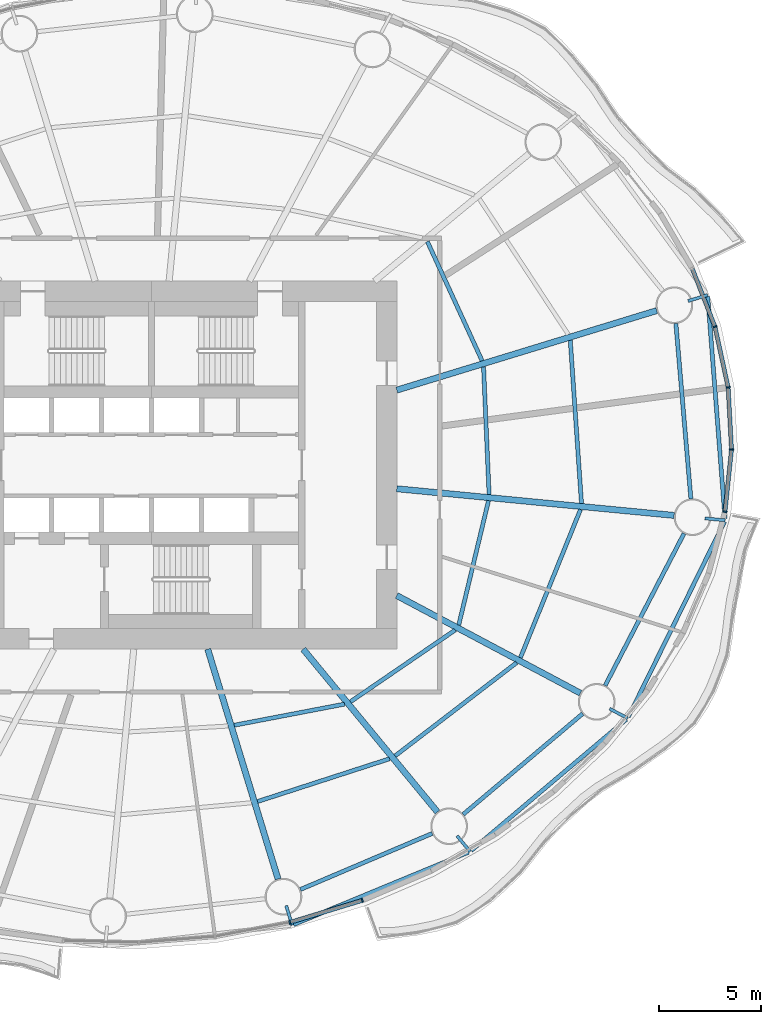
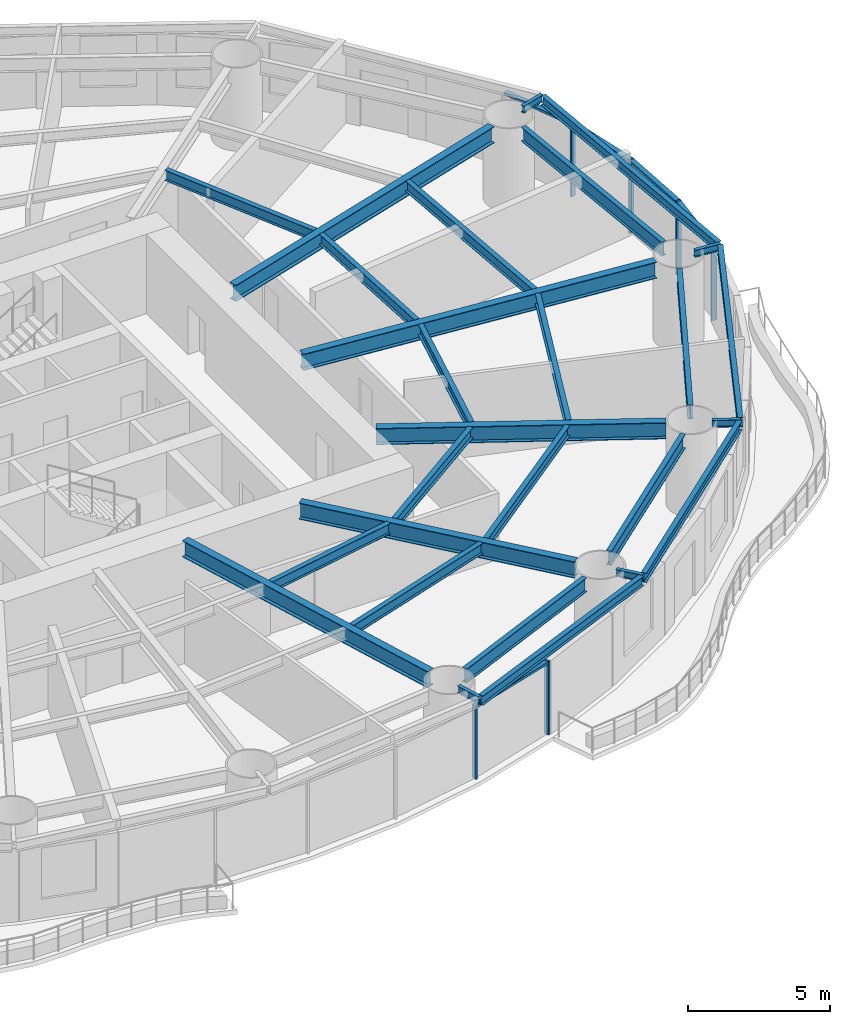
# One storey, part 4 of 16: 27 beams, 11 members, 5 elements without a shape of their own.
"""IFC4 building model written with IfcOpenShell, lengths in metres."""

from ifc_helpers import new_model, si_unit, direction, frame, origin, origin_2d, place, context, subcontext, project, spatial, rectangle, i_section, extrude, material, material_profile, profile_set, type_object, element, aggregate, save


model = new_model("IFC4")

# Units and contexts
model_context = context("Model", 3, precision=1e-05, world=origin(), true_north=direction((0.0, 1.0)))
body_context = subcontext(model_context, "Body", "Model", "MODEL_VIEW")
ifc_project = project(units=[si_unit("LENGTHUNIT", "METRE"), si_unit("AREAUNIT", "SQUARE_METRE"), si_unit("VOLUMEUNIT", "CUBIC_METRE"), si_unit("PLANEANGLEUNIT", "RADIAN"), si_unit("MASSUNIT", "GRAM", prefix="KILO")], contexts=[model_context])

# Site, building, storey
site_placement = place(None, origin())
site = spatial("IfcSite", under=ifc_project, at=site_placement, CompositionType="ELEMENT")
building_placement = place(site_placement, origin())
building = spatial("IfcBuilding", under=site, at=building_placement, Name="Vermilion Reach Broadcast Tower", CompositionType="ELEMENT")
storey_placement = place(building_placement, frame((0.0, 0.0, 65.60009765625)))
storey = spatial("IfcBuildingStorey", under=building, at=storey_placement, Name="L13", CompositionType="ELEMENT", Elevation=65.60009765625)

# Beams
ifc_material_1 = material(Name="Steel S355J2", Category="steel")
ifc_material_profile_1 = material_profile(ifc_material_1, i_section(OverallWidth=0.199951171875, OverallDepth=0.39990234375, WebThickness=0.008056640625, FlangeThickness=0.012939453125, at=origin_2d()), Name="S355J2 HN 400x200x8x13")
ifc_profile_set_1 = profile_set([ifc_material_profile_1], Name="Steel S355J2")
beam_type_1 = type_object("IfcBeamType", Name="EB1 HN 400x200x8x13", PredefinedType="BEAM", material=ifc_profile_set_1)
beam_1_placement = place(storey_placement, frame((0.95263671875, -22.47021484375, 3.349853515625), z_axis=(0.924116011476, 0.38211202197, 0.0), x_axis=(-0.38211202197, 0.924116011476, 0.0)))
element("IfcBeam", 1, at=beam_1_placement, inside=storey, type_object=beam_type_1, Name="Edge beam EB1-13", PredefinedType="BEAM", context=body_context, shape_type="SweptSolid", body=[
    extrude(i_section(OverallWidth=0.199951171875, OverallDepth=0.39990234375, WebThickness=0.008056640625, FlangeThickness=0.012939453125, at=origin_2d()), origin(), (0.0, 0.0, 1.0), 9.263671875),
])
beam_2_placement = place(storey_placement, frame((9.643310546875, -18.85205078125, 3.349853515625), z_axis=(0.763556741491, 0.645740739402, 0.0), x_axis=(-0.645740739402, 0.763556741491, 0.0)))
element("IfcBeam", 2, at=beam_2_placement, inside=storey, type_object=beam_type_1, Name="Edge beam EB1-14", PredefinedType="BEAM", context=body_context, shape_type="SweptSolid", body=[
    extrude(i_section(OverallWidth=0.199951171875, OverallDepth=0.39990234375, WebThickness=0.008056640625, FlangeThickness=0.012939453125, at=origin_2d()), origin(), (0.0, 0.0, 1.0), 9.9404296875),
])
beam_3_placement = place(storey_placement, frame((17.328125, -12.313720703125, 3.349853515625), z_axis=(0.441826669441, 0.897100437059, 0.0), x_axis=(-0.897100437059, 0.441826669441, 0.0)))
element("IfcBeam", 3, at=beam_3_placement, inside=storey, type_object=beam_type_1, Name="Edge beam EB1-15", PredefinedType="BEAM", context=body_context, shape_type="SweptSolid", body=[
    extrude(i_section(OverallWidth=0.199951171875, OverallDepth=0.39990234375, WebThickness=0.008056640625, FlangeThickness=0.012939453125, at=origin_2d()), origin(), (0.0, 0.0, 1.0), 10.63916015625),
])
beam_4_placement = place(storey_placement, frame((22.058349609375, -2.621337890625, 3.349853515625), z_axis=(-0.077787488333, 0.996969962767, 0.0), x_axis=(-0.996969962767, -0.077787488333, 0.0)))
element("IfcBeam", 4, at=beam_4_placement, inside=storey, type_object=beam_type_1, Name="Edge beam EB1-16", PredefinedType="BEAM", context=body_context, shape_type="SweptSolid", body=[
    extrude(i_section(OverallWidth=0.199951171875, OverallDepth=0.39990234375, WebThickness=0.008056640625, FlangeThickness=0.012939453125, at=origin_2d()), origin(), (0.0, 0.0, 1.0), 10.900146484375),
])
ifc_material_2 = material(Name="Steel S355J2", Category="steel")
ifc_material_profile_2 = material_profile(ifc_material_2, i_section(OverallWidth=0.300048828125, OverallDepth=0.699951171875, WebThickness=0.012939453125, FlangeThickness=0.02392578125, at=origin_2d()), Name="S355J2 HN 700x300x13x24")
ifc_profile_set_2 = profile_set([ifc_material_profile_2], Name="Steel S355J2")
beam_type_2 = type_object("IfcBeamType", Name="G1 HN 700x300x13x24", PredefinedType="BEAM", material=ifc_profile_set_2)
beam_5_placement = place(storey_placement, frame((6.0, 3.671142578125, 3.199951171875), z_axis=(0.956255735186, 0.292531996409, 0.0), x_axis=(-0.292531996409, 0.956255735186, 0.0)))
element("IfcBeam", 5, at=beam_5_placement, inside=storey, type_object=beam_type_2, Name="Girder G1-01", PredefinedType="BEAM", context=body_context, shape_type="SweptSolid", body=[
    extrude(i_section(OverallWidth=0.300048828125, OverallDepth=0.699951171875, WebThickness=0.012939453125, FlangeThickness=0.02392578125, at=origin_2d()), origin(), (0.0, 0.0, 1.0), 13.29638671875),
])
beam_6_placement = place(storey_placement, frame((-3.246826171875, -9.0, 3.199951171875), z_axis=(0.292542302886, -0.95625258223, 0.0), x_axis=(0.95625258223, 0.292542302886, 0.0)))
element("IfcBeam", 6, at=beam_6_placement, inside=storey, type_object=beam_type_2, Name="Girder G1-13", PredefinedType="BEAM", context=body_context, shape_type="SweptSolid", body=[
    extrude(i_section(OverallWidth=0.300048828125, OverallDepth=0.699951171875, WebThickness=0.012939453125, FlangeThickness=0.02392578125, at=origin_2d()), origin(), (0.0, 0.0, 1.0), 11.76220703125),
])
beam_7_placement = place(storey_placement, frame((1.421630859375, -9.0, 3.199951171875), z_axis=(0.636215165107, -0.77151167437, 0.0), x_axis=(0.77151167437, 0.636215165107, 0.0)))
element("IfcBeam", 7, at=beam_7_placement, inside=storey, type_object=beam_type_2, Name="Girder G1-14", PredefinedType="BEAM", context=body_context, shape_type="SweptSolid", body=[
    extrude(i_section(OverallWidth=0.300048828125, OverallDepth=0.699951171875, WebThickness=0.012939453125, FlangeThickness=0.02392578125, at=origin_2d()), origin(), (0.0, 0.0, 1.0), 10.3251953125),
])
beam_8_placement = place(storey_placement, frame((6.0, -6.3779296875, 3.199951171875), z_axis=(0.883032139419, -0.469312519279, 0.0), x_axis=(0.469312519279, 0.883032139419, 0.0)))
element("IfcBeam", 8, at=beam_8_placement, inside=storey, type_object=beam_type_2, Name="Girder G1-15", PredefinedType="BEAM", context=body_context, shape_type="SweptSolid", body=[
    extrude(i_section(OverallWidth=0.300048828125, OverallDepth=0.699951171875, WebThickness=0.012939453125, FlangeThickness=0.02392578125, at=origin_2d()), origin(), (0.0, 0.0, 1.0), 10.17529296875),
])
beam_9_placement = place(storey_placement, frame((6.0, -1.1533203125, 3.199951171875), z_axis=(0.995412178872, -0.095679643363, 0.0), x_axis=(0.095679643363, 0.995412178872, 0.0)))
element("IfcBeam", 9, at=beam_9_placement, inside=storey, type_object=beam_type_2, Name="Girder G1-16", PredefinedType="BEAM", context=body_context, shape_type="SweptSolid", body=[
    extrude(i_section(OverallWidth=0.300048828125, OverallDepth=0.699951171875, WebThickness=0.012939453125, FlangeThickness=0.02392578125, at=origin_2d()), origin(), (0.0, 0.0, 1.0), 13.630859375),
])
ifc_material_3 = material(Name="Steel S355J2", Category="steel")
ifc_material_profile_3 = material_profile(ifc_material_3, i_section(OverallWidth=0.14990234375, OverallDepth=0.300048828125, WebThickness=0.006591796875, FlangeThickness=0.009033203125, at=origin_2d()), Name="S355J2 HN 300x150x6.5x9")
ifc_profile_set_3 = profile_set([ifc_material_profile_3], Name="Steel S355J2")
beam_type_3 = type_object("IfcBeamType", Name="GS1 HN 300x150x6.5x9", PredefinedType="BEAM", material=ifc_profile_set_3)
for number, where, z_axis, x_axis, name in (
    (10, (20.248046875, 8.02978515625, 3.39990234375), (0.956205533022, 0.292696051594, 0.0), (-0.292696051594, 0.956205533022, 0.0), "Cantilever stub GS1-01"),
    (11, (0.59033203125, -21.542724609375, 3.39990234375), (0.292472824594, -0.95627383467, 0.0), (0.95627383467, 0.292472824594, 0.0), "Cantilever stub GS1-13"),
):
    element("IfcBeam", number, at=place(storey_placement, frame(where, z_axis=z_axis, x_axis=x_axis)), inside=storey, type_object=beam_type_3, Name=name, PredefinedType="BEAM", context=body_context, shape_type="SweptSolid", body=[
        extrude(i_section(OverallWidth=0.14990234375, OverallDepth=0.300048828125, WebThickness=0.006591796875, FlangeThickness=0.009033203125, at=origin_2d()), origin(), (0.0, 0.0, 1.0), 1.0),
    ])
beam_10_placement = place(storey_placement, frame((8.94970703125, -18.12890625, 3.39990234375), z_axis=(0.636117850493, -0.77159191305, 0.0), x_axis=(0.77159191305, 0.636117850493, 0.0)))
element("IfcBeam", 12, at=beam_10_placement, inside=storey, type_object=beam_type_3, Name="Cantilever stub GS1-14", PredefinedType="BEAM", context=body_context, shape_type="SweptSolid", body=[
    extrude(i_section(OverallWidth=0.14990234375, OverallDepth=0.300048828125, WebThickness=0.006591796875, FlangeThickness=0.009033203125, at=origin_2d()), origin(), (0.0, 0.0, 1.0), 1.000244140625),
])
for number, where, z_axis, x_axis, name in (
    (13, (16.411865234375, -11.91162109375, 3.39990234375), (0.883068299348, -0.469244476458, 0.0), (0.469244476458, 0.883068299348, 0.0), "Cantilever stub GS1-15"),
    (14, (21.06884765625, -2.6015625, 3.39990234375), (0.995409476419, -0.095707754417, 0.0), (0.095707754417, 0.995409476419, 0.0), "Cantilever stub GS1-16"),
):
    element("IfcBeam", number, at=place(storey_placement, frame(where, z_axis=z_axis, x_axis=x_axis)), inside=storey, type_object=beam_type_3, Name=name, PredefinedType="BEAM", context=body_context, shape_type="SweptSolid", body=[
        extrude(i_section(OverallWidth=0.14990234375, OverallDepth=0.300048828125, WebThickness=0.006591796875, FlangeThickness=0.009033203125, at=origin_2d()), origin(), (0.0, 0.0, 1.0), 1.0),
    ])
ifc_material_4 = material(Name="Steel S355J2", Category="steel")
ifc_material_profile_4 = material_profile(ifc_material_4, i_section(OverallWidth=0.199951171875, OverallDepth=0.60009765625, WebThickness=0.010986328125, FlangeThickness=0.01708984375, at=origin_2d()), Name="S355J2 HN 600x200x11x17")
ifc_profile_set_4 = profile_set([ifc_material_profile_4], Name="Steel S355J2")
beam_type_4 = type_object("IfcBeamType", Name="RB1 HN 600x200x11x17", PredefinedType="BEAM", material=ifc_profile_set_4)
beam_11_placement = place(storey_placement, frame((1.28564453125, -20.755859375, 3.25), z_axis=(0.920220846584, 0.391399531825, 0.0), x_axis=(-0.391399531825, 0.920220846584, 0.0)))
element("IfcBeam", 15, at=beam_11_placement, inside=storey, type_object=beam_type_4, Name="Ring beam RB1-13", PredefinedType="BEAM", context=body_context, shape_type="SweptSolid", body=[
    extrude(i_section(OverallWidth=0.199951171875, OverallDepth=0.60009765625, WebThickness=0.010986328125, FlangeThickness=0.01708984375, at=origin_2d()), origin(), (0.0, 0.0, 1.0), 7.008544921875),
])
beam_12_placement = place(storey_placement, frame((9.251220703125, -17.080322265625, 3.25), z_axis=(0.764512441084, 0.6446089725, 0.0), x_axis=(-0.6446089725, 0.764512441084, 0.0)))
element("IfcBeam", 16, at=beam_12_placement, inside=storey, type_object=beam_type_4, Name="Ring beam RB1-14", PredefinedType="BEAM", context=body_context, shape_type="SweptSolid", body=[
    extrude(i_section(OverallWidth=0.199951171875, OverallDepth=0.60009765625, WebThickness=0.010986328125, FlangeThickness=0.01708984375, at=origin_2d()), origin(), (0.0, 0.0, 1.0), 7.6396484375),
])
beam_13_placement = place(storey_placement, frame((16.194091796875, -10.776611328125, 3.25), z_axis=(0.460411617218, 0.887705549566, 0.0), x_axis=(-0.887705549566, 0.460411617218, 0.0)))
element("IfcBeam", 17, at=beam_13_placement, inside=storey, type_object=beam_type_4, Name="Ring beam RB1-15", PredefinedType="BEAM", context=body_context, shape_type="SweptSolid", body=[
    extrude(i_section(OverallWidth=0.199951171875, OverallDepth=0.60009765625, WebThickness=0.010986328125, FlangeThickness=0.01708984375, at=origin_2d()), origin(), (0.0, 0.0, 1.0), 8.37451171875),
])
beam_14_placement = place(storey_placement, frame((20.38720703125, -1.646728515625, 3.25), z_axis=(-0.085395508608, 0.996347131832, 0.0), x_axis=(-0.996347131832, -0.085395508608, 0.0)))
element("IfcBeam", 18, at=beam_14_placement, inside=storey, type_object=beam_type_4, Name="Ring beam RB1-16", PredefinedType="BEAM", context=body_context, shape_type="SweptSolid", body=[
    extrude(i_section(OverallWidth=0.199951171875, OverallDepth=0.60009765625, WebThickness=0.010986328125, FlangeThickness=0.01708984375, at=origin_2d()), origin(), (0.0, 0.0, 1.0), 8.60546875),
])
ifc_material_5 = material(Name="Steel S355J2", Category="steel")
ifc_material_profile_5 = material_profile(ifc_material_5, i_section(OverallWidth=0.199951171875, OverallDepth=0.449951171875, WebThickness=0.009033203125, FlangeThickness=0.013916015625, at=origin_2d()), Name="S355J2 HN 450x200x9x14")
ifc_profile_set_5 = profile_set([ifc_material_profile_5], Name="Steel S355J2")
beam_type_5 = type_object("IfcBeamType", Name="SB1 HN 450x200x9x14", PredefinedType="BEAM", material=ifc_profile_set_5)
beam_15_placement = place(storey_placement, frame((10.175048828125, 5.105224609375, 3.324951171875), z_axis=(-0.417211452529, 0.908809443106, 0.0), x_axis=(-0.908809443106, -0.417211452529, 0.0)))
element("IfcBeam", 19, at=beam_15_placement, inside=storey, type_object=beam_type_5, Name="Secondary beam SB1-01-1", PredefinedType="BEAM", context=body_context, shape_type="SweptSolid", body=[
    extrude(i_section(OverallWidth=0.199951171875, OverallDepth=0.449951171875, WebThickness=0.009033203125, FlangeThickness=0.013916015625, at=origin_2d()), origin(), (0.0, 0.0, 1.0), 6.41650390625),
])
beam_16_placement = place(storey_placement, frame((-1.95166015625, -12.720703125, 3.324951171875), z_axis=(0.982151348822, 0.188092339045, 0.0), x_axis=(-0.188092339045, 0.982151348822, 0.0)))
element("IfcBeam", 20, at=beam_16_placement, inside=storey, type_object=beam_type_5, Name="Secondary beam SB1-13-1", PredefinedType="BEAM", context=body_context, shape_type="SweptSolid", body=[
    extrude(i_section(OverallWidth=0.199951171875, OverallDepth=0.449951171875, WebThickness=0.009033203125, FlangeThickness=0.013916015625, at=origin_2d()), origin(), (0.0, 0.0, 1.0), 5.4931640625),
])
beam_17_placement = place(storey_placement, frame((-0.81005859375, -16.4521484375, 3.324951171875), z_axis=(0.951332300844, 0.308166924523, 0.0), x_axis=(-0.308166924523, 0.951332300844, 0.0)))
element("IfcBeam", 21, at=beam_17_placement, inside=storey, type_object=beam_type_5, Name="Secondary beam SB1-13-2", PredefinedType="BEAM", context=body_context, shape_type="SweptSolid", body=[
    extrude(i_section(OverallWidth=0.199951171875, OverallDepth=0.449951171875, WebThickness=0.009033203125, FlangeThickness=0.013916015625, at=origin_2d()), origin(), (0.0, 0.0, 1.0), 6.787841796875),
])
beam_18_placement = place(storey_placement, frame((3.735595703125, -11.5703125, 3.324951171875), z_axis=(0.825140253447, 0.564927926502, 0.0), x_axis=(-0.564927926502, 0.825140253447, 0.0)))
element("IfcBeam", 22, at=beam_18_placement, inside=storey, type_object=beam_type_5, Name="Secondary beam SB1-14-1", PredefinedType="BEAM", context=body_context, shape_type="SweptSolid", body=[
    extrude(i_section(OverallWidth=0.199951171875, OverallDepth=0.449951171875, WebThickness=0.009033203125, FlangeThickness=0.013916015625, at=origin_2d()), origin(), (0.0, 0.0, 1.0), 6.20458984375),
])
beam_19_placement = place(storey_placement, frame((5.920166015625, -14.21923828125, 3.324951171875), z_axis=(0.793349617473, 0.60876628065, 0.0), x_axis=(-0.60876628065, 0.793349617473, 0.0)))
element("IfcBeam", 23, at=beam_19_placement, inside=storey, type_object=beam_type_5, Name="Secondary beam SB1-14-2", PredefinedType="BEAM", context=body_context, shape_type="SweptSolid", body=[
    extrude(i_section(OverallWidth=0.199951171875, OverallDepth=0.449951171875, WebThickness=0.009033203125, FlangeThickness=0.013916015625, at=origin_2d()), origin(), (0.0, 0.0, 1.0), 7.486328125),
])
beam_20_placement = place(storey_placement, frame((9.031005859375, -7.81884765625, 3.324951171875), z_axis=(0.232844467589, 0.972513986487, 0.0), x_axis=(-0.972513986487, 0.232844467589, 0.0)))
element("IfcBeam", 24, at=beam_20_placement, inside=storey, type_object=beam_type_5, Name="Secondary beam SB1-15-1", PredefinedType="BEAM", context=body_context, shape_type="SweptSolid", body=[
    extrude(i_section(OverallWidth=0.199951171875, OverallDepth=0.449951171875, WebThickness=0.009033203125, FlangeThickness=0.013916015625, at=origin_2d()), origin(), (0.0, 0.0, 1.0), 6.25537109375),
])
beam_21_placement = place(storey_placement, frame((12.046630859375, -9.421630859375, 3.324951171875), z_axis=(0.375640669938, 0.926765389453, 0.0), x_axis=(-0.926765389453, 0.375640669938, 0.0)))
element("IfcBeam", 25, at=beam_21_placement, inside=storey, type_object=beam_type_5, Name="Secondary beam SB1-15-2", PredefinedType="BEAM", context=body_context, shape_type="SweptSolid", body=[
    extrude(i_section(OverallWidth=0.199951171875, OverallDepth=0.449951171875, WebThickness=0.009033203125, FlangeThickness=0.013916015625, at=origin_2d()), origin(), (0.0, 0.0, 1.0), 7.8271484375),
])
beam_22_placement = place(storey_placement, frame((10.51611328125, -1.436767578125, 3.324951171875), z_axis=(-0.043361007512, 0.999059469215, 0.0), x_axis=(-0.999059469215, -0.043361007512, 0.0)))
element("IfcBeam", 26, at=beam_22_placement, inside=storey, type_object=beam_type_5, Name="Secondary beam SB1-16-1", PredefinedType="BEAM", context=body_context, shape_type="SweptSolid", body=[
    extrude(i_section(OverallWidth=0.199951171875, OverallDepth=0.449951171875, WebThickness=0.009033203125, FlangeThickness=0.013916015625, at=origin_2d()), origin(), (0.0, 0.0, 1.0), 6.25537109375),
])
beam_23_placement = place(storey_placement, frame((15.03515625, -1.87109375, 3.324951171875), z_axis=(-0.068507801475, 0.997650580683, 0.0), x_axis=(-0.997650580683, -0.068507801475, 0.0)))
element("IfcBeam", 27, at=beam_23_placement, inside=storey, type_object=beam_type_5, Name="Secondary beam SB1-16-2", PredefinedType="BEAM", context=body_context, shape_type="SweptSolid", body=[
    extrude(i_section(OverallWidth=0.199951171875, OverallDepth=0.449951171875, WebThickness=0.009033203125, FlangeThickness=0.013916015625, at=origin_2d()), origin(), (0.0, 0.0, 1.0), 8.00048828125),
])

# Curtain wall, member
ifc_material_6 = material(Name="Low-e laminated clear glass in aluminium frame", Category="aluminium")
curtain_wall_type = type_object("IfcCurtainWallType", Name="Slot curtain wall", PredefinedType="NOTDEFINED", material=ifc_material_6)
placement = place(storey_placement, origin())
curtain_wall_1 = element("IfcCurtainWall", 28, at=placement, inside=storey, type_object=curtain_wall_type, Name="Slot curtain wall L13 46", PredefinedType="NOTDEFINED")
ifc_material_7 = material(Name="Anodised aluminium", Category="aluminium")
ifc_material_profile_6 = material_profile(ifc_material_7, rectangle(XDim=0.199951171875, YDim=0.080078125, at=origin_2d()), Name="Slot mullion 80 x 200")
ifc_profile_set_6 = profile_set([ifc_material_profile_6], Name="Anodised aluminium")
member_type_1 = type_object("IfcMemberType", Name="Slot mullion 80 x 200", PredefinedType="MULLION", material=ifc_profile_set_6)
member_1_placement = place(storey_placement, frame((22.053955078125, -2.2783203125, 0.0), z_axis=(0.0, 0.0, 1.0), x_axis=(-0.983592180384, 0.180406271197, 0.0)))
member_1 = element("IfcMember", 29, at=member_1_placement, type_object=member_type_1, Name="Slot mullion L13 46", PredefinedType="MULLION", context=body_context, shape_type="SweptSolid", body=[
    extrude(rectangle(XDim=0.199951171875, YDim=0.080078125, at=origin_2d()), origin(), (0.0, 0.0, 1.0), 3.14990234375),
])

curtain_wall_2 = element("IfcCurtainWall", 30, at=placement, inside=storey, type_object=curtain_wall_type, Name="Slot curtain wall L13 47", PredefinedType="NOTDEFINED")
member_2_placement = place(storey_placement, frame((22.372314453125, 0.769775390625, 0.0), z_axis=(0.0, 0.0, 1.0), x_axis=(-0.999689047997, 0.024936064554, 0.0)))
member_2 = element("IfcMember", 31, at=member_2_placement, type_object=member_type_1, Name="Slot mullion L13 47", PredefinedType="MULLION", context=body_context, shape_type="SweptSolid", body=[
    extrude(rectangle(XDim=0.199951171875, YDim=0.080078125, at=origin_2d()), origin(), (0.0, 0.0, 1.0), 3.14990234375),
])

curtain_wall_3 = element("IfcCurtainWall", 32, at=placement, inside=storey, type_object=curtain_wall_type, Name="Slot curtain wall L13 00", PredefinedType="NOTDEFINED")
member_3_placement = place(storey_placement, frame((22.207763671875, 3.8037109375, 0.0), z_axis=(0.0, 0.0, 1.0), x_axis=(-0.991029914193, -0.133640222892, 0.0)))
member_3 = element("IfcMember", 33, at=member_3_placement, type_object=member_type_1, Name="Slot mullion L13 00", PredefinedType="MULLION", context=body_context, shape_type="SweptSolid", body=[
    extrude(rectangle(XDim=0.199951171875, YDim=0.080078125, at=origin_2d()), origin(), (0.0, 0.0, 1.0), 3.14990234375),
])

curtain_wall_4 = element("IfcCurtainWall", 34, at=placement, inside=storey, type_object=curtain_wall_type, Name="Slot curtain wall L13 01", PredefinedType="NOTDEFINED")
member_4_placement = place(storey_placement, frame((21.562744140625, 6.773193359375, 0.0), z_axis=(0.0, 0.0, 1.0), x_axis=(-0.957375557991, -0.288846050624, 0.0)))
member_4 = element("IfcMember", 35, at=member_4_placement, type_object=member_type_1, Name="Slot mullion L13 01", PredefinedType="MULLION", context=body_context, shape_type="SweptSolid", body=[
    extrude(rectangle(XDim=0.199951171875, YDim=0.080078125, at=origin_2d()), origin(), (0.0, 0.0, 1.0), 3.14990234375),
])

# Curtain wall, members
curtain_wall_5 = element("IfcCurtainWall", 36, at=placement, inside=storey, type_object=curtain_wall_type, Name="Slot curtain wall L13 37", PredefinedType="NOTDEFINED")
member_5_placement = place(storey_placement, frame((0.771728515625, -22.365478515625, 0.0), z_axis=(0.0, 0.0, 1.0), x_axis=(-0.239311954521, 0.970942731794, 0.0)))
member_5 = element("IfcMember", 37, at=member_5_placement, type_object=member_type_1, Name="Slot mullion L13 37", PredefinedType="MULLION", context=body_context, shape_type="SweptSolid", body=[
    extrude(rectangle(XDim=0.199951171875, YDim=0.080078125, at=origin_2d()), origin(), (0.0, 0.0, 1.0), 3.14990234375),
])
member_6_placement = place(storey_placement, frame((4.317138671875, -21.28564453125, 0.0), z_axis=(0.0, 0.0, 1.0), x_axis=(-0.343348234087, 0.939208171892, 0.0)))
member_6 = element("IfcMember", 38, at=member_6_placement, type_object=member_type_1, Name="Slot mullion L13 38", PredefinedType="MULLION", context=body_context, shape_type="SweptSolid", body=[
    extrude(rectangle(XDim=0.199951171875, YDim=0.080078125, at=origin_2d()), origin(), (0.0, 0.0, 1.0), 3.14990234375),
])

# Member
ifc_material_8 = material(Name="Anodised aluminium", Category="aluminium")
ifc_material_profile_7 = material_profile(ifc_material_8, rectangle(XDim=0.199951171875, YDim=0.10009765625, at=origin_2d()), Name="Slot transom 200 x 100")
ifc_profile_set_7 = profile_set([ifc_material_profile_7], Name="Anodised aluminium")
member_type_2 = type_object("IfcMemberType", Name="Slot transom 200 x 100", PredefinedType="USERDEFINED", material=ifc_profile_set_7)
member_7_placement = place(storey_placement, frame((22.05810546875, -2.238525390625, 3.099853515625), z_axis=(0.103884244679, 0.994589394528, 0.0), x_axis=(-0.994589394528, 0.103884244679, 0.0)))
member_7 = element("IfcMember", 39, at=member_7_placement, type_object=member_type_2, Name="Slot transom L13 46.1", ObjectType="TRANSOM", PredefinedType="USERDEFINED", context=body_context, shape_type="SweptSolid", body=[
    extrude(rectangle(XDim=0.199951171875, YDim=0.10009765625, at=origin_2d()), origin(), (0.0, 0.0, 1.0), 2.984619140625),
])

aggregate(curtain_wall_1, [member_1, member_7])

member_8_placement = place(storey_placement, frame((22.3701171875, 0.8095703125, 3.099853515625), z_axis=(-0.054130915112, 0.998533847213, 0.0), x_axis=(-0.998533847213, -0.054130915112, 0.0)))
member_8 = element("IfcMember", 40, at=member_8_placement, type_object=member_type_2, Name="Slot transom L13 47.1", ObjectType="TRANSOM", PredefinedType="USERDEFINED", context=body_context, shape_type="SweptSolid", body=[
    extrude(rectangle(XDim=0.199951171875, YDim=0.10009765625, at=origin_2d()), origin(), (0.0, 0.0, 1.0), 2.958740234375),
])

aggregate(curtain_wall_2, [member_2, member_8])

member_9_placement = place(storey_placement, frame((22.19921875, 3.8427734375, 3.099853515625), z_axis=(-0.212227523726, 0.977220281294, 0.0), x_axis=(-0.977220281294, -0.212227523726, 0.0)))
member_9 = element("IfcMember", 41, at=member_9_placement, type_object=member_type_2, Name="Slot transom L13 00.1", ObjectType="TRANSOM", PredefinedType="USERDEFINED", context=body_context, shape_type="SweptSolid", body=[
    extrude(rectangle(XDim=0.199951171875, YDim=0.10009765625, at=origin_2d()), origin(), (0.0, 0.0, 1.0), 2.958740234375),
])

aggregate(curtain_wall_3, [member_3, member_9])

member_10_placement = place(storey_placement, frame((21.54833984375, 6.810302734375, 3.099853515625), z_axis=(-0.363649822809, 0.931535724689, 0.0), x_axis=(-0.931535724689, -0.363649822809, 0.0)))
member_10 = element("IfcMember", 42, at=member_10_placement, type_object=member_type_2, Name="Slot transom L13 01.1", ObjectType="TRANSOM", PredefinedType="USERDEFINED", context=body_context, shape_type="SweptSolid", body=[
    extrude(rectangle(XDim=0.199951171875, YDim=0.10009765625, at=origin_2d()), origin(), (0.0, 0.0, 1.0), 2.98486328125),
])

aggregate(curtain_wall_4, [member_4, member_10])

member_11_placement = place(storey_placement, frame((0.81005859375, -22.353759765625, 3.099853515625), z_axis=(0.95662657696, 0.291316996165, 0.0), x_axis=(-0.291316996165, 0.95662657696, 0.0)))
member_11 = element("IfcMember", 43, at=member_11_placement, type_object=member_type_2, Name="Slot transom L13 37.1", ObjectType="TRANSOM", PredefinedType="USERDEFINED", context=body_context, shape_type="SweptSolid", body=[
    extrude(rectangle(XDim=0.199951171875, YDim=0.10009765625, at=origin_2d()), origin(), (0.0, 0.0, 1.0), 3.626220703125),
])

aggregate(curtain_wall_5, [member_5, member_6, member_11])

save(model, "model.ifc")
